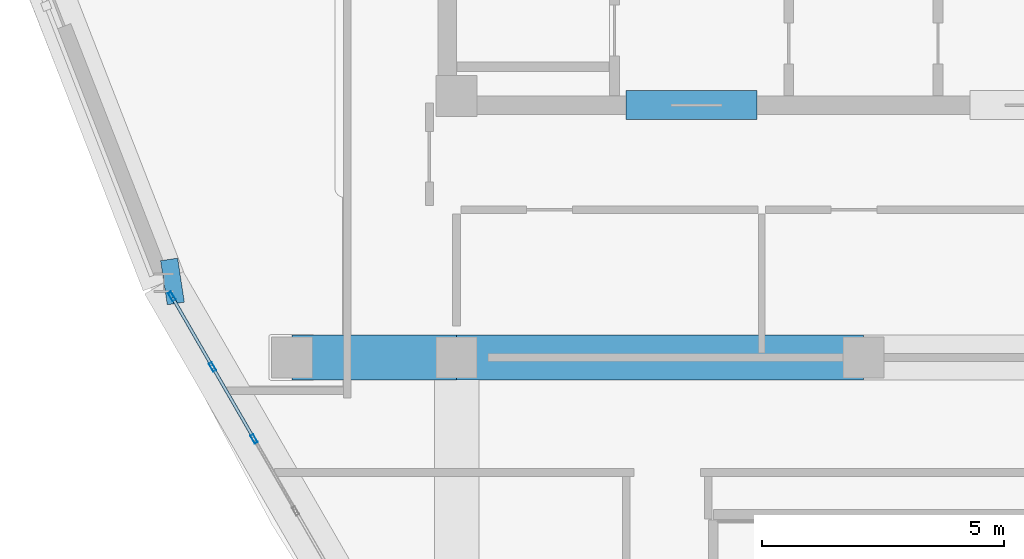
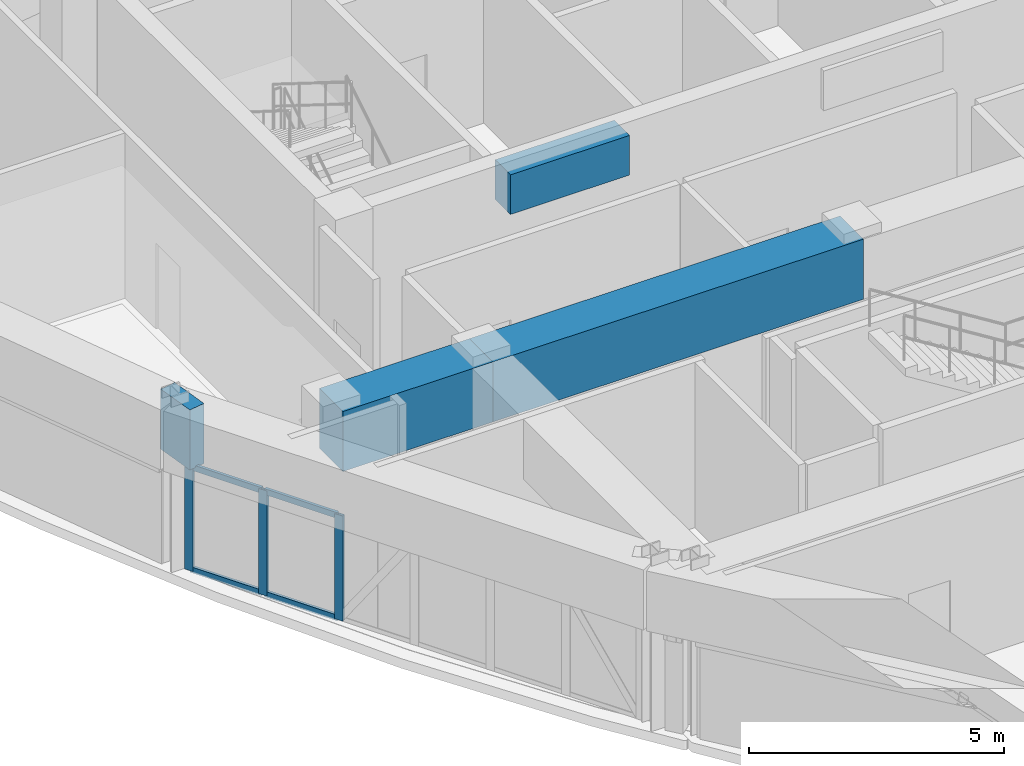
# One storey, part 5 of 16: 7 members, 4 beams, 1 element without a shape of its own.
"""IFC4 building model written with IfcOpenShell, lengths in metres."""

from ifc_helpers import new_model, si_unit, derived_unit, direction, frame, origin, origin_2d, place, context, subcontext, project, spatial, rectangle, hollow_rectangle, extrude, source, transform, mapped, material, layer, layer_set, material_profile, profile_set, type_object, element, aggregate, save


model = new_model("IFC4")

# Units and contexts
model_context = context("Model", 3, precision=1e-05, world=origin(), true_north=direction((0.0, 1.0)))
body_context = subcontext(model_context, "Body", "Model", "MODEL_VIEW")
ifc_project = project(units=[si_unit("LENGTHUNIT", "METRE"), si_unit("AREAUNIT", "SQUARE_METRE"), si_unit("VOLUMEUNIT", "CUBIC_METRE"), si_unit("PLANEANGLEUNIT", "RADIAN"), si_unit("MASSUNIT", "GRAM", prefix="KILO"), derived_unit("THERMALTRANSMITTANCEUNIT", [(si_unit("POWERUNIT", "WATT"), 1), (si_unit("LENGTHUNIT", "METRE"), -2), (si_unit("THERMODYNAMICTEMPERATUREUNIT", "KELVIN"), -1)])], contexts=[model_context])

# Site, building, storey
site_placement = place(None, origin())
site = spatial("IfcSite", under=ifc_project, at=site_placement, CompositionType="ELEMENT")
building_placement = place(site_placement, origin())
building = spatial("IfcBuilding", under=site, at=building_placement, Name="Korsvarv Bourse and Concert Hall", CompositionType="ELEMENT")
storey_placement = place(building_placement, frame((0.0, 0.0, 283.800048828125)))
storey = spatial("IfcBuildingStorey", under=building, at=storey_placement, Name="L74", CompositionType="ELEMENT", Elevation=283.800048828125)

# Beams
ifc_material_1 = material(Name="Concrete C55/67", Category="concrete")
ifc_material_profile_1 = material_profile(ifc_material_1, rectangle(XDim=0.60009765625, YDim=0.949951171875, at=origin_2d()), Name="RC-BM 600x950")
ifc_profile_set_1 = profile_set([ifc_material_profile_1], Name="Concrete C55/67")
beam_type_1 = type_object("IfcBeamType", Name="BM-CPL", PredefinedType="LINTEL", material=ifc_profile_set_1)
shared_shape_1 = source(origin(), body_context, "Body", "SweptSolid", [
    extrude(rectangle(XDim=0.60009765625, YDim=0.949951171875, at=origin_2d()), origin(), (0.0, 0.0, 1.0), 2.699951171875),
])
beam_1_placement = place(storey_placement, frame((31.10009765625, 37.610107421875, 3.48486328125), z_axis=(1.0, 0.0, 0.0), x_axis=(0.0, 1.0, 0.0)))
element("IfcBeam", 1, at=beam_1_placement, inside=storey, type_object=beam_type_1, Name="L74 Core Coupling Beam West", PredefinedType="LINTEL", context=body_context, shape_type="MappedRepresentation", body=[
    mapped(shared_shape_1, transform((0.0, 0.0, 0.0), scale=1.0)),
])
ifc_material_2 = material(Name="Concrete C50/60", Category="concrete")
ifc_material_profile_2 = material_profile(ifc_material_2, rectangle(XDim=0.919921875, YDim=1.43994140625, at=origin_2d()), Name="RC-BM 920x1440")
ifc_profile_set_2 = profile_set([ifc_material_profile_2], Name="Concrete C50/60")
beam_type_2 = type_object("IfcBeamType", Name="BM-TR-144", PredefinedType="BEAM", material=ifc_profile_set_2)
shared_shape_2 = source(origin(), body_context, "Body", "SweptSolid", [
    extrude(rectangle(XDim=0.919921875, YDim=1.43994140625, at=origin_2d()), origin(), (0.0, 0.0, 1.0), 3.400146484375),
])
beam_2_placement = place(storey_placement, frame((24.199951171875, 32.39990234375, 3.239990234375), z_axis=(1.0, 0.0, 0.0), x_axis=(0.0, 1.0, 0.0)))
element("IfcBeam", 2, at=beam_2_placement, inside=storey, type_object=beam_type_2, Name="L74 beam B-TR4", PredefinedType="BEAM", context=body_context, shape_type="MappedRepresentation", body=[
    mapped(shared_shape_2, transform((0.0, 0.0, 0.0), scale=1.0)),
])
shared_shape_3 = source(origin(), body_context, "Body", "SweptSolid", [
    extrude(rectangle(XDim=0.919921875, YDim=1.43994140625, at=origin_2d()), origin(), (0.0, 0.0, 1.0), 8.39990234375),
])
beam_3_placement = place(storey_placement, frame((27.60009765625, 32.39990234375, 3.239990234375), z_axis=(1.0, 0.0, 0.0), x_axis=(0.0, 1.0, 0.0)))
element("IfcBeam", 3, at=beam_3_placement, inside=storey, type_object=beam_type_2, Name="L74 beam B-TR4", PredefinedType="BEAM", context=body_context, shape_type="MappedRepresentation", body=[
    mapped(shared_shape_3, transform((0.0, 0.0, 0.0), scale=1.0)),
])
shared_shape_4 = source(origin(), body_context, "Body", "SweptSolid", [
    extrude(rectangle(XDim=0.919921875, YDim=1.43994140625, at=origin_2d()), origin(), (0.0, 0.0, 1.0), 0.3564453125),
])
beam_4_placement = place(storey_placement, frame((21.5576171875, 33.943115234375, 3.239990234375), z_axis=(0.988576712642, 0.150718556328, 0.0), x_axis=(-0.150718556328, 0.988576712642, 0.0)))
element("IfcBeam", 4, at=beam_4_placement, inside=storey, type_object=beam_type_2, Name="L74 beam B-TR4", PredefinedType="BEAM", context=body_context, shape_type="MappedRepresentation", body=[
    mapped(shared_shape_4, transform((0.0, 0.0, 0.0), scale=1.0)),
])

# Curtain wall, members
ifc_material_3 = material(Name="Anodised aluminium and triple low-E glazing", Category="glass")
ifc_layer = layer(ifc_material_3, 0.18994140625)
ifc_layer_set = layer_set([ifc_layer], Name="Anodised aluminium and triple low-E glazing")
curtain_wall_type = type_object("IfcCurtainWallType", Name="CW-SYS-4", PredefinedType="NOTDEFINED", material=ifc_layer_set)
curtain_wall_placement = place(storey_placement, origin())
curtain_wall = element("IfcCurtainWall", 5, at=curtain_wall_placement, inside=storey, type_object=curtain_wall_type, Name="L74 CW4 curtain wall CW-L74-F07", PredefinedType="NOTDEFINED")
ifc_material_4 = material(Name="Extruded aluminium EN AW-6063 T66", Category="aluminium")
ifc_material_profile_3 = material_profile(ifc_material_4, hollow_rectangle(XDim=0.070068359375, YDim=0.18994140625, WallThickness=0.0048828125, at=origin_2d()), Name="ALU-M 70x190")
ifc_profile_set_3 = profile_set([ifc_material_profile_3], Name="Extruded aluminium EN AW-6063 T66")
member_type_1 = type_object("IfcMemberType", Name="CWM-190", PredefinedType="MULLION", material=ifc_profile_set_3)
shared_shape_5 = source(origin(), body_context, "Body", "SweptSolid", [
    extrude(hollow_rectangle(XDim=0.070068359375, YDim=0.18994140625, WallThickness=0.0048828125, at=origin_2d()), origin(), (0.0, 0.0, 1.0), 2.52001953125),
])
member_1_placement = place(storey_placement, frame((21.71923828125, 33.663330078125, 0.0), z_axis=(0.0, 0.0, 1.0), x_axis=(0.866027681029, 0.499996055676, 0.0)))
member_1 = element("IfcMember", 6, at=member_1_placement, type_object=member_type_1, Name="CW4 mullion 1", PredefinedType="MULLION", context=body_context, shape_type="MappedRepresentation", body=[
    mapped(shared_shape_5, transform((0.0, 0.0, 0.0), scale=1.0)),
])
member_2_placement = place(storey_placement, frame((22.560302734375, 32.206298828125, 0.0), z_axis=(0.0, 0.0, 1.0), x_axis=(0.866027681029, 0.499996055676, 0.0)))
member_2 = element("IfcMember", 7, at=member_2_placement, type_object=member_type_1, Name="CW4 mullion 2", PredefinedType="MULLION", context=body_context, shape_type="MappedRepresentation", body=[
    mapped(shared_shape_5, transform((0.0, 0.0, 0.0), scale=1.0)),
])
member_3_placement = place(storey_placement, frame((23.4189453125, 30.71923828125, 0.0), z_axis=(0.0, 0.0, 1.0), x_axis=(0.866027681029, 0.499996055676, 0.0)))
member_3 = element("IfcMember", 8, at=member_3_placement, type_object=member_type_1, Name="CW4 mullion 3", PredefinedType="MULLION", context=body_context, shape_type="MappedRepresentation", body=[
    mapped(shared_shape_5, transform((0.0, 0.0, 0.0), scale=1.0)),
])
ifc_material_profile_4 = material_profile(ifc_material_4, hollow_rectangle(XDim=0.06494140625, YDim=0.139892578125, WallThickness=0.00390625, at=origin_2d()), Name="ALU-T 65x140")
ifc_profile_set_4 = profile_set([ifc_material_profile_4], Name="Extruded aluminium EN AW-6063 T66")
member_type_2 = type_object("IfcMemberType", Name="CWT-140", PredefinedType="USERDEFINED", material=ifc_profile_set_4)
shared_shape_6 = source(origin(), body_context, "Body", "SweptSolid", [
    extrude(hollow_rectangle(XDim=0.06494140625, YDim=0.139892578125, WallThickness=0.00390625, at=origin_2d()), origin(), (0.0, 0.0, 1.0), 1.612060546875),
])
member_4_placement = place(storey_placement, frame((21.73681640625, 33.633056640625, 0.032470703125), z_axis=(0.49990161533, -0.866082198749, 0.0), x_axis=(0.866082198749, 0.49990161533, 0.0)))
member_4 = element("IfcMember", 9, at=member_4_placement, type_object=member_type_2, Name="CW4 transom 1.1", ObjectType="TRANSOM", PredefinedType="USERDEFINED", context=body_context, shape_type="MappedRepresentation", body=[
    mapped(shared_shape_6, transform((0.0, 0.0, 0.0), scale=1.0)),
])
member_5_placement = place(storey_placement, frame((21.73681640625, 33.633056640625, 2.487548828125), z_axis=(0.49990161533, -0.866082198749, 0.0), x_axis=(0.866082198749, 0.49990161533, 0.0)))
member_5 = element("IfcMember", 10, at=member_5_placement, type_object=member_type_2, Name="CW4 transom 1.2", ObjectType="TRANSOM", PredefinedType="USERDEFINED", context=body_context, shape_type="MappedRepresentation", body=[
    mapped(shared_shape_6, transform((0.0, 0.0, 0.0), scale=1.0)),
])
shared_shape_7 = source(origin(), body_context, "Body", "SweptSolid", [
    extrude(hollow_rectangle(XDim=0.06494140625, YDim=0.139892578125, WallThickness=0.00390625, at=origin_2d()), origin(), (0.0, 0.0, 1.0), 1.647216796875),
])
member_6_placement = place(storey_placement, frame((22.577880859375, 32.176025390625, 0.032470703125), z_axis=(0.499949127178, -0.86605477323, 0.0), x_axis=(0.86605477323, 0.499949127178, 0.0)))
member_6 = element("IfcMember", 11, at=member_6_placement, type_object=member_type_2, Name="CW4 transom 2.1", ObjectType="TRANSOM", PredefinedType="USERDEFINED", context=body_context, shape_type="MappedRepresentation", body=[
    mapped(shared_shape_7, transform((0.0, 0.0, 0.0), scale=1.0)),
])
member_7_placement = place(storey_placement, frame((22.577880859375, 32.176025390625, 2.487548828125), z_axis=(0.499949127178, -0.86605477323, 0.0), x_axis=(0.86605477323, 0.499949127178, 0.0)))
member_7 = element("IfcMember", 12, at=member_7_placement, type_object=member_type_2, Name="CW4 transom 2.2", ObjectType="TRANSOM", PredefinedType="USERDEFINED", context=body_context, shape_type="MappedRepresentation", body=[
    mapped(shared_shape_7, transform((0.0, 0.0, 0.0), scale=1.0)),
])
aggregate(curtain_wall, [member_1, member_2, member_3, member_4, member_5, member_6, member_7])

save(model, "model.ifc")
